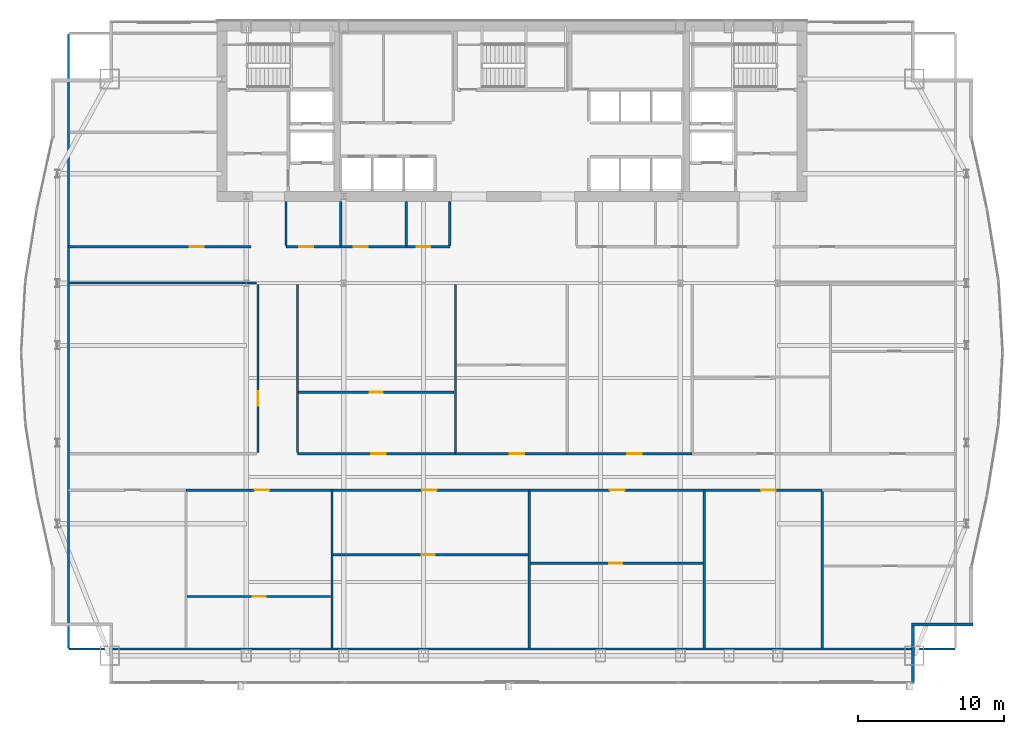
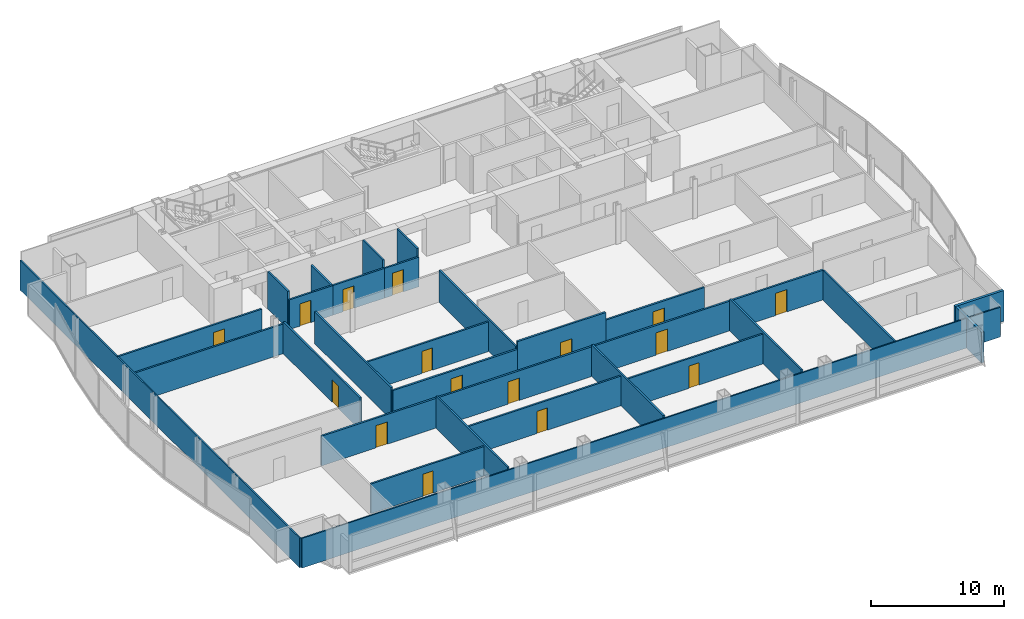
# One storey, part 24 of 29: 31 walls, 16 doors, 16 openings.
"""IFC4 building model written with IfcOpenShell, lengths in metres."""

from ifc_helpers import new_model, si_unit, direction, frame, frame_2d, origin, place, context, subcontext, project, spatial, rectangle, extrude, material, layer, layer_set, type_object, element, fill, save


model = new_model("IFC4")

# Units and contexts
model_context = context("Model", 3, precision=1e-05, world=origin(), true_north=direction((0.0, 1.0)))
body_context = subcontext(model_context, "Body", "Model", "MODEL_VIEW")
ifc_project = project(units=[si_unit("LENGTHUNIT", "METRE"), si_unit("AREAUNIT", "SQUARE_METRE"), si_unit("VOLUMEUNIT", "CUBIC_METRE"), si_unit("PLANEANGLEUNIT", "RADIAN"), si_unit("MASSUNIT", "GRAM", prefix="KILO")], contexts=[model_context])

# Site, building, storey
site_placement = place(None, origin())
site = spatial("IfcSite", under=ifc_project, at=site_placement, CompositionType="ELEMENT")
building_placement = place(site_placement, origin())
building = spatial("IfcBuilding", under=site, at=building_placement, Name="Khoronbel Lancet Exchange", CompositionType="ELEMENT")
storey_placement = place(building_placement, frame((0.0, 0.0, 161.39990234375)))
storey = spatial("IfcBuildingStorey", under=building, at=storey_placement, Name="L40", CompositionType="ELEMENT", Elevation=161.39990234375)

# Walls
ifc_material_1 = material(Name="Precast concrete C40/50", Category="concrete")
ifc_layer_1 = layer(ifc_material_1, 0.25, Name="Precast concrete C40/50")
ifc_layer_set_1 = layer_set([ifc_layer_1], Name="Precast concrete C40/50")
wall_type_1 = type_object("IfcWallType", Name="WL-EXT250", PredefinedType="SOLIDWALL", material=ifc_layer_set_1)
wall_1_placement = place(storey_placement, frame((68.070068359375, 12.2900390625, 0.0), z_axis=(0.0, 0.0, 1.0), x_axis=(-1.0, 0.0, 0.0)))
element("IfcWall", 1, at=wall_1_placement, inside=storey, type_object=wall_type_1, Name="Level L40 notched-corner limestone pier 24", PredefinedType="SOLIDWALL", context=body_context, shape_type="SweptSolid", body=[
    extrude(rectangle(XDim=4.219970703125, YDim=0.219970703125, at=frame_2d((2.10986328125, 0.0))), origin(), (0.0, 0.0, 1.0), 2.830078125),
])
wall_2_placement = place(storey_placement, frame((63.9599609375, 12.179931640625, 0.0), z_axis=(0.0, 0.0, 1.0), x_axis=(0.0, -1.0, 0.0)))
element("IfcWall", 2, at=wall_2_placement, inside=storey, type_object=wall_type_1, Name="Level L40 notched-corner limestone pier 25", PredefinedType="SOLIDWALL", context=body_context, shape_type="SweptSolid", body=[
    extrude(rectangle(XDim=3.909912109375, YDim=0.219970703125, at=frame_2d((1.955078125, 0.0))), origin(), (0.0, 0.0, 1.0), 2.830078125),
])
ifc_material_2 = material(Name="Acoustic Metal-Stud & Mineral-Wool Gypsum Partition 120 mm", Category="gypsum")
ifc_layer_2 = layer(ifc_material_2, 0.1201171875, Name="Acoustic Metal-Stud & Mineral-Wool Gypsum Partition 120 mm")
ifc_layer_set_2 = layer_set([ifc_layer_2], Name="Acoustic Metal-Stud & Mineral-Wool Gypsum Partition 120 mm")
wall_type_2 = type_object("IfcWallType", Name="WL-PRT120", PredefinedType="PARTITIONING", material=ifc_layer_set_2)
wall_3_placement = place(storey_placement, frame((20.949951171875, 38.280029296875, 0.0), z_axis=(0.0, 0.0, 1.0), x_axis=(0.0, 1.0, 0.0)))
element("IfcWall", 3, at=wall_3_placement, inside=storey, type_object=wall_type_2, Name="Level L40 interior partition PW-WC-0", PredefinedType="PARTITIONING", context=body_context, shape_type="SweptSolid", body=[
    extrude(rectangle(XDim=3.02001953125, YDim=0.14990234375, at=frame_2d((1.510009765625, 0.0))), origin(), (0.0, 0.0, 1.0), 3.440185546875),
])
wall_4_placement = place(storey_placement, frame((24.699951171875, 38.280029296875, 0.0), z_axis=(0.0, 0.0, 1.0), x_axis=(0.0, 1.0, 0.0)))
element("IfcWall", 4, at=wall_4_placement, inside=storey, type_object=wall_type_2, Name="Level L40 interior partition PW-WC-1", PredefinedType="PARTITIONING", context=body_context, shape_type="SweptSolid", body=[
    extrude(rectangle(XDim=3.02001953125, YDim=0.14990234375, at=frame_2d((1.510009765625, 0.0))), origin(), (0.0, 0.0, 1.0), 2.72998046875),
])
for number, where, z_axis, x_axis, name in (
    (5, (29.199951171875, 38.280029296875, 0.0), (0.0, 0.0, 1.0), (0.0, 1.0, 0.0), "Level L40 interior partition PW-WC-2"),
    (6, (32.179931640625, 38.280029296875, 0.0), (0.0, 0.0, 1.0), (0.0, 1.0, 0.0), "Level L40 interior partition PW-WC-3"),
):
    element("IfcWall", number, at=place(storey_placement, frame(where, z_axis=z_axis, x_axis=x_axis)), inside=storey, type_object=wall_type_2, Name=name, PredefinedType="PARTITIONING", context=body_context, shape_type="SweptSolid", body=[
        extrude(rectangle(XDim=3.02001953125, YDim=0.14990234375, at=frame_2d((1.510009765625, 0.0))), origin(), (0.0, 0.0, 1.0), 3.440185546875),
    ])

# Wall, opening, door
wall_5_placement = place(storey_placement, frame((14.1728515625, 14.208984375, 0.0), z_axis=(0.0, 0.0, 1.0), x_axis=(1.0, 0.0, 0.0)))
wall_5 = element("IfcWall", 7, at=wall_5_placement, inside=storey, type_object=wall_type_2, Name="Level L40 interior partition PW-Z2S-H2", PredefinedType="PARTITIONING", context=body_context, shape_type="SweptSolid", body=[
    extrude(rectangle(XDim=9.84033203125, YDim=0.14990234375, at=frame_2d((4.920166015625, 0.0))), origin(), (0.0, 0.0, 1.0), 2.72998046875),
])
opening_1_placement = place(wall_5_placement, frame((4.500244140625, 0.0, 0.0)))
opening_1 = element("IfcOpeningElement", 8, at=opening_1_placement, cuts=wall_5, Name="Opening D5", PredefinedType="OPENING", context=body_context, shape_type="SweptSolid", body=[
    extrude(rectangle(XDim=0.89990234375, YDim=2.050048828125, at=frame_2d((0.449951171875, 1.02490234375))), frame((0.0, 0.0849609375, 0.0), z_axis=(0.0, -1.0, 0.0), x_axis=(1.0, 0.0, 0.0)), (0.0, 0.0, 1.0), 0.169921875),
])
ifc_material_3 = material(Name="Acoustic Timber Pantry & Support Door", Category="wood")
door_type_1 = type_object("IfcDoorType", Name="DR-D5", OperationType="NOTDEFINED", PredefinedType="DOOR", material=ifc_material_3)
door_1_placement = place(opening_1_placement, origin())
door_1 = element("IfcDoor", 9, at=door_1_placement, inside=storey, type_object=door_type_1, Name="Z2S inner door 2 L40-1", OperationType="SINGLE_SWING_LEFT", OverallHeight=2.050048828125, OverallWidth=0.89990234375, PredefinedType="DOOR", context=body_context, shape_type="SweptSolid", body=[
    extrude(rectangle(XDim=0.89990234375, YDim=2.050048828125, at=frame_2d((0.449951171875, 1.02490234375))), frame((0.0, 0.02490234375, 0.0), z_axis=(0.0, -1.0, 0.0), x_axis=(1.0, 0.0, 0.0)), (0.0, 0.0, 1.0), 0.050048828125),
])
fill(opening_1, door_1)

wall_6_placement = place(storey_placement, frame((24.173095703125, 17.063232421875, 0.0), z_axis=(0.0, 0.0, 1.0), x_axis=(1.0, 0.0, 0.0)))
wall_6 = element("IfcWall", 10, at=wall_6_placement, inside=storey, type_object=wall_type_2, Name="Level L40 interior partition PW-Z2S-H3", PredefinedType="PARTITIONING", context=body_context, shape_type="SweptSolid", body=[
    extrude(rectangle(XDim=13.378173828125, YDim=0.14990234375, at=frame_2d((6.68896484375, 0.0))), origin(), (0.0, 0.0, 1.0), 2.72998046875),
])
opening_2_placement = place(wall_6_placement, frame((6.092041015625, 0.0, 0.0)))
opening_2 = element("IfcOpeningElement", 11, at=opening_2_placement, cuts=wall_6, Name="Opening D5", PredefinedType="OPENING", context=body_context, shape_type="SweptSolid", body=[
    extrude(rectangle(XDim=0.89990234375, YDim=2.050048828125, at=frame_2d((0.449951171875, 1.02490234375))), frame((0.0, 0.0849609375, 0.0), z_axis=(0.0, -1.0, 0.0), x_axis=(1.0, 0.0, 0.0)), (0.0, 0.0, 1.0), 0.169921875),
])
door_2_placement = place(opening_2_placement, origin())
door_2 = element("IfcDoor", 12, at=door_2_placement, inside=storey, type_object=door_type_1, Name="Z2S inner door 3 L40-1", OperationType="SINGLE_SWING_LEFT", OverallHeight=2.050048828125, OverallWidth=0.89990234375, PredefinedType="DOOR", context=body_context, shape_type="SweptSolid", body=[
    extrude(rectangle(XDim=0.89990234375, YDim=2.050048828125, at=frame_2d((0.449951171875, 1.02490234375))), frame((0.0, 0.02490234375, 0.0), z_axis=(0.0, -1.0, 0.0), x_axis=(1.0, 0.0, 0.0)), (0.0, 0.0, 1.0), 0.050048828125),
])
fill(opening_2, door_2)

wall_7_placement = place(storey_placement, frame((37.711181640625, 16.488037109375, 0.0), z_axis=(0.0, 0.0, 1.0), x_axis=(1.0, 0.0, 0.0)))
wall_7 = element("IfcWall", 13, at=wall_7_placement, inside=storey, type_object=wall_type_2, Name="Level L40 interior partition PW-Z2S-H4", PredefinedType="PARTITIONING", context=body_context, shape_type="SweptSolid", body=[
    extrude(rectangle(XDim=11.840576171875, YDim=0.14990234375, at=frame_2d((5.92041015625, 0.0))), origin(), (0.0, 0.0, 1.0), 2.72998046875),
])
opening_3_placement = place(wall_7_placement, frame((5.400146484375, 0.0, 0.0)))
opening_3 = element("IfcOpeningElement", 14, at=opening_3_placement, cuts=wall_7, Name="Opening D5", PredefinedType="OPENING", context=body_context, shape_type="SweptSolid", body=[
    extrude(rectangle(XDim=0.89990234375, YDim=2.050048828125, at=frame_2d((0.449951171875, 1.02490234375))), frame((0.0, 0.0849609375, 0.0), z_axis=(0.0, -1.0, 0.0), x_axis=(1.0, 0.0, 0.0)), (0.0, 0.0, 1.0), 0.169921875),
])
door_3_placement = place(opening_3_placement, origin())
door_3 = element("IfcDoor", 15, at=door_3_placement, inside=storey, type_object=door_type_1, Name="Z2S inner door 4 L40-1", OperationType="SINGLE_SWING_LEFT", OverallHeight=2.050048828125, OverallWidth=0.89990234375, PredefinedType="DOOR", context=body_context, shape_type="SweptSolid", body=[
    extrude(rectangle(XDim=0.89990234375, YDim=2.050048828125, at=frame_2d((0.449951171875, 1.02490234375))), frame((0.0, 0.02490234375, 0.0), z_axis=(0.0, -1.0, 0.0), x_axis=(1.0, 0.0, 0.0)), (0.0, 0.0, 1.0), 0.050048828125),
])
fill(opening_3, door_3)

wall_8_placement = place(storey_placement, frame((21.81005859375, 28.2119140625, 0.0), z_axis=(0.0, 0.0, 1.0), x_axis=(1.0, 0.0, 0.0)))
wall_8 = element("IfcWall", 16, at=wall_8_placement, inside=storey, type_object=wall_type_2, Name="Level L40 interior partition PW-Z2N-H1", PredefinedType="PARTITIONING", context=body_context, shape_type="SweptSolid", body=[
    extrude(rectangle(XDim=10.673583984375, YDim=0.14990234375, at=frame_2d((5.3369140625, 0.0))), origin(), (0.0, 0.0, 1.0), 2.72998046875),
])
opening_4_placement = place(wall_8_placement, frame((4.875, 0.0, 0.0)))
opening_4 = element("IfcOpeningElement", 17, at=opening_4_placement, cuts=wall_8, Name="Opening D5", PredefinedType="OPENING", context=body_context, shape_type="SweptSolid", body=[
    extrude(rectangle(XDim=0.89990234375, YDim=2.050048828125, at=frame_2d((0.449951171875, 1.02490234375))), frame((0.0, 0.0849609375, 0.0), z_axis=(0.0, -1.0, 0.0), x_axis=(1.0, 0.0, 0.0)), (0.0, 0.0, 1.0), 0.169921875),
])
door_4_placement = place(opening_4_placement, origin())
door_4 = element("IfcDoor", 18, at=door_4_placement, inside=storey, type_object=door_type_1, Name="Z2N inner door 1 L40-1", OperationType="SINGLE_SWING_LEFT", OverallHeight=2.050048828125, OverallWidth=0.89990234375, PredefinedType="DOOR", context=body_context, shape_type="SweptSolid", body=[
    extrude(rectangle(XDim=0.89990234375, YDim=2.050048828125, at=frame_2d((0.449951171875, 1.02490234375))), frame((0.0, 0.02490234375, 0.0), z_axis=(0.0, -1.0, 0.0), x_axis=(1.0, 0.0, 0.0)), (0.0, 0.0, 1.0), 0.050048828125),
])
fill(opening_4, door_4)

# Walls
wall_9_placement = place(storey_placement, frame((6.030029296875, 10.6650390625, 0.0), z_axis=(0.0, 0.0, 1.0), x_axis=(0.0, 1.0, 0.0)))
element("IfcWall", 19, at=wall_9_placement, inside=storey, type_object=wall_type_2, Name="Level L40 interior partition PW-LIN-W", PredefinedType="PARTITIONING", context=body_context, shape_type="SweptSolid", body=[
    extrude(rectangle(XDim=42.10986328125, YDim=0.1201171875, at=frame_2d((21.054931640625, 0.0))), origin(), (0.0, 0.0, 1.0), 2.72998046875),
])
wall_10_placement = place(storey_placement, frame((6.094970703125, 10.60009765625, 0.0), z_axis=(0.0, 0.0, 1.0), x_axis=(1.0, 0.0, 0.0)))
element("IfcWall", 20, at=wall_10_placement, inside=storey, type_object=wall_type_2, Name="Level L40 interior partition PW-LIN-S", PredefinedType="PARTITIONING", context=body_context, shape_type="SweptSolid", body=[
    extrude(rectangle(XDim=60.7099609375, YDim=0.1201171875, at=frame_2d((30.35498046875, 0.0))), origin(), (0.0, 0.0, 1.0), 2.72998046875),
])

# Wall, opening, door
ifc_material_4 = material(Name="Fire-Rated Twin-Stud Acoustic Gypsum Partition 150 mm", Category="gypsum")
ifc_layer_3 = layer(ifc_material_4, 0.14990234375, Name="Fire-Rated Twin-Stud Acoustic Gypsum Partition 150 mm")
ifc_layer_set_3 = layer_set([ifc_layer_3], Name="Fire-Rated Twin-Stud Acoustic Gypsum Partition 150 mm")
wall_type_3 = type_object("IfcWallType", Name="WL-PRT150C", PredefinedType="PARTITIONING", material=ifc_layer_set_3)
wall_11_placement = place(storey_placement, frame((20.949951171875, 38.199951171875, 0.0), z_axis=(0.0, 0.0, 1.0), x_axis=(1.0, 0.0, 0.0)))
wall_11 = element("IfcWall", 21, at=wall_11_placement, inside=storey, type_object=wall_type_3, Name="Level L40 interior partition PW-WC-S1", PredefinedType="PARTITIONING", context=body_context, shape_type="SweptSolid", body=[
    extrude(rectangle(XDim=3.75, YDim=0.14990234375, at=frame_2d((1.875, 0.0))), origin(), (0.0, 0.0, 1.0), 2.72998046875),
])
opening_5_placement = place(wall_11_placement, frame((0.89990234375, 0.0, 0.0)))
opening_5 = element("IfcOpeningElement", 22, at=opening_5_placement, cuts=wall_11, Name="Opening D4", PredefinedType="OPENING", context=body_context, shape_type="SweptSolid", body=[
    extrude(rectangle(XDim=0.949951171875, YDim=2.050048828125, at=frame_2d((0.47509765625, 1.02490234375))), frame((0.0, 0.0849609375, 0.0), z_axis=(0.0, -1.0, 0.0), x_axis=(1.0, 0.0, 0.0)), (0.0, 0.0, 1.0), 0.169921875),
])
ifc_material_5 = material(Name="Moisture-Resistant HPL Washroom Door", Category="wood")
door_type_2 = type_object("IfcDoorType", Name="DR-D4", OperationType="NOTDEFINED", PredefinedType="DOOR", material=ifc_material_5)
door_5_placement = place(opening_5_placement, origin())
door_5 = element("IfcDoor", 23, at=door_5_placement, inside=storey, type_object=door_type_2, Name="Male washroom door L40-1", OperationType="SINGLE_SWING_RIGHT", OverallHeight=2.050048828125, OverallWidth=0.949951171875, PredefinedType="DOOR", context=body_context, shape_type="SweptSolid", body=[
    extrude(rectangle(XDim=0.949951171875, YDim=2.050048828125, at=frame_2d((0.47509765625, 1.02490234375))), frame((0.0, 0.02490234375, 0.0), z_axis=(0.0, -1.0, 0.0), x_axis=(1.0, 0.0, 0.0)), (0.0, 0.0, 1.0), 0.050048828125),
])
fill(opening_5, door_5)

wall_12_placement = place(storey_placement, frame((24.699951171875, 38.199951171875, 0.0), z_axis=(0.0, 0.0, 1.0), x_axis=(1.0, 0.0, 0.0)))
wall_12 = element("IfcWall", 24, at=wall_12_placement, inside=storey, type_object=wall_type_3, Name="Level L40 interior partition PW-WC-S2", PredefinedType="PARTITIONING", context=body_context, shape_type="SweptSolid", body=[
    extrude(rectangle(XDim=4.5, YDim=0.14990234375, at=frame_2d((2.25, 0.0))), origin(), (0.0, 0.0, 1.0), 2.72998046875),
])
opening_6_placement = place(wall_12_placement, frame((0.89990234375, 0.0, 0.0)))
opening_6 = element("IfcOpeningElement", 25, at=opening_6_placement, cuts=wall_12, Name="Opening D4", PredefinedType="OPENING", context=body_context, shape_type="SweptSolid", body=[
    extrude(rectangle(XDim=0.949951171875, YDim=2.050048828125, at=frame_2d((0.47509765625, 1.02490234375))), frame((0.0, 0.0849609375, 0.0), z_axis=(0.0, -1.0, 0.0), x_axis=(1.0, 0.0, 0.0)), (0.0, 0.0, 1.0), 0.169921875),
])
door_6_placement = place(opening_6_placement, origin())
door_6 = element("IfcDoor", 26, at=door_6_placement, inside=storey, type_object=door_type_2, Name="Female washroom door L40-1", OperationType="SINGLE_SWING_LEFT", OverallHeight=2.050048828125, OverallWidth=0.949951171875, PredefinedType="DOOR", context=body_context, shape_type="SweptSolid", body=[
    extrude(rectangle(XDim=0.949951171875, YDim=2.050048828125, at=frame_2d((0.47509765625, 1.02490234375))), frame((0.0, 0.02490234375, 0.0), z_axis=(0.0, -1.0, 0.0), x_axis=(1.0, 0.0, 0.0)), (0.0, 0.0, 1.0), 0.050048828125),
])
fill(opening_6, door_6)

wall_13_placement = place(storey_placement, frame((29.199951171875, 38.199951171875, 0.0), z_axis=(0.0, 0.0, 1.0), x_axis=(1.0, 0.0, 0.0)))
wall_13 = element("IfcWall", 27, at=wall_13_placement, inside=storey, type_object=wall_type_3, Name="Level L40 interior partition PW-WC-S3", PredefinedType="PARTITIONING", context=body_context, shape_type="SweptSolid", body=[
    extrude(rectangle(XDim=2.97998046875, YDim=0.14990234375, at=frame_2d((1.489990234375, 0.0))), origin(), (0.0, 0.0, 1.0), 2.72998046875),
])
opening_7_placement = place(wall_13_placement, frame((0.699951171875, 0.0, 0.0)))
opening_7 = element("IfcOpeningElement", 28, at=opening_7_placement, cuts=wall_13, Name="Opening D4", PredefinedType="OPENING", context=body_context, shape_type="SweptSolid", body=[
    extrude(rectangle(XDim=0.949951171875, YDim=2.050048828125, at=frame_2d((0.47509765625, 1.02490234375))), frame((0.0, 0.0849609375, 0.0), z_axis=(0.0, -1.0, 0.0), x_axis=(1.0, 0.0, 0.0)), (0.0, 0.0, 1.0), 0.169921875),
])
door_7_placement = place(opening_7_placement, origin())
door_7 = element("IfcDoor", 29, at=door_7_placement, inside=storey, type_object=door_type_2, Name="Accessible WC door L40-1", OperationType="SINGLE_SWING_RIGHT", OverallHeight=2.050048828125, OverallWidth=0.949951171875, PredefinedType="DOOR", context=body_context, shape_type="SweptSolid", body=[
    extrude(rectangle(XDim=0.949951171875, YDim=2.050048828125, at=frame_2d((0.47509765625, 1.02490234375))), frame((0.0, 0.02490234375, 0.0), z_axis=(0.0, -1.0, 0.0), x_axis=(1.0, 0.0, 0.0)), (0.0, 0.0, 1.0), 0.050048828125),
])
fill(opening_7, door_7)

wall_14_placement = place(storey_placement, frame((6.030029296875, 38.199951171875, 0.0), z_axis=(0.0, 0.0, 1.0), x_axis=(1.0, 0.0, 0.0)))
wall_14 = element("IfcWall", 30, at=wall_14_placement, inside=storey, type_object=wall_type_3, Name="Level L40 interior partition PW-NW-S", PredefinedType="PARTITIONING", context=body_context, shape_type="SweptSolid", body=[
    extrude(rectangle(XDim=12.52001953125, YDim=0.14990234375, at=frame_2d((6.260009765625, 0.0))), origin(), (0.0, 0.0, 1.0), 2.72998046875),
])
opening_8_placement = place(wall_14_placement, frame((8.320068359375, 0.0, 0.0)))
opening_8 = element("IfcOpeningElement", 31, at=opening_8_placement, cuts=wall_14, Name="Opening D1", PredefinedType="OPENING", context=body_context, shape_type="SweptSolid", body=[
    extrude(rectangle(XDim=0.949951171875, YDim=2.050048828125, at=frame_2d((0.47509765625, 1.02490234375))), frame((0.0, 0.0849609375, 0.0), z_axis=(0.0, -1.0, 0.0), x_axis=(1.0, 0.0, 0.0)), (0.0, 0.0, 1.0), 0.169921875),
])
ifc_material_6 = material(Name="Acoustic Veneered Timber & Bronze Frame Door", Category="wood")
door_type_3 = type_object("IfcDoorType", Name="DR-D1", OperationType="NOTDEFINED", PredefinedType="DOOR", material=ifc_material_6)
door_8_placement = place(opening_8_placement, origin())
door_8 = element("IfcDoor", 32, at=door_8_placement, inside=storey, type_object=door_type_3, Name="NW corner room door L40-1", OperationType="SINGLE_SWING_LEFT", OverallHeight=2.050048828125, OverallWidth=0.949951171875, PredefinedType="DOOR", context=body_context, shape_type="SweptSolid", body=[
    extrude(rectangle(XDim=0.949951171875, YDim=2.050048828125, at=frame_2d((0.47509765625, 1.02490234375))), frame((0.0, 0.02490234375, 0.0), z_axis=(0.0, -1.0, 0.0), x_axis=(1.0, 0.0, 0.0)), (0.0, 0.0, 1.0), 0.050048828125),
])
fill(opening_8, door_8)

# Walls
for number, where, z_axis, x_axis, name in (
    (33, (24.09326171875, 10.6650390625, 0.0), (0.0, 0.0, 1.0), (0.0, 1.0, 0.0), "Level L40 interior partition PW-Z2S-V2"),
    (34, (37.63134765625, 10.6650390625, 0.0), (0.0, 0.0, 1.0), (0.0, 1.0, 0.0), "Level L40 interior partition PW-Z2S-V3"),
    (35, (49.6318359375, 10.6650390625, 0.0), (0.0, 0.0, 1.0), (0.0, 1.0, 0.0), "Level L40 interior partition PW-Z2S-V4"),
):
    element("IfcWall", number, at=place(storey_placement, frame(where, z_axis=z_axis, x_axis=x_axis)), inside=storey, type_object=wall_type_3, Name=name, PredefinedType="PARTITIONING", context=body_context, shape_type="SweptSolid", body=[
        extrude(rectangle(XDim=10.75, YDim=0.14990234375, at=frame_2d((5.375, 0.0))), origin(), (0.0, 0.0, 1.0), 2.93017578125),
    ])
wall_15_placement = place(storey_placement, frame((57.732177734375, 10.6650390625, 0.0), z_axis=(0.0, 0.0, 1.0), x_axis=(0.0, 1.0, 0.0)))
element("IfcWall", 36, at=wall_15_placement, inside=storey, type_object=wall_type_3, Name="Level L40 interior partition PW-Z2S-V5", PredefinedType="PARTITIONING", context=body_context, shape_type="SweptSolid", body=[
    extrude(rectangle(XDim=10.75, YDim=0.14990234375, at=frame_2d((5.375, 0.0))), origin(), (0.0, 0.0, 1.0), 2.72998046875),
])

# Wall, opening, door
wall_16_placement = place(storey_placement, frame((19.02001953125, 24.080078125, 0.0), z_axis=(0.0, 0.0, 1.0), x_axis=(0.0, 1.0, 0.0)))
wall_16 = element("IfcWall", 37, at=wall_16_placement, inside=storey, type_object=wall_type_3, Name="Level L40 interior partition PW-Z2-WLK", PredefinedType="PARTITIONING", context=body_context, shape_type="SweptSolid", body=[
    extrude(rectangle(XDim=11.5400390625, YDim=0.14990234375, at=frame_2d((5.77001953125, 0.0))), origin(), (0.0, 0.0, 1.0), 2.93017578125),
])
opening_9_placement = place(wall_16_placement, frame((3.199951171875, 0.0, 0.0)))
opening_9 = element("IfcOpeningElement", 38, at=opening_9_placement, cuts=wall_16, Name="Opening D2", PredefinedType="OPENING", context=body_context, shape_type="SweptSolid", body=[
    extrude(rectangle(XDim=1.0, YDim=2.050048828125, at=frame_2d((0.5, 1.02490234375))), frame((0.0, 0.0849609375, 0.0), z_axis=(0.0, -1.0, 0.0), x_axis=(1.0, 0.0, 0.0)), (0.0, 0.0, 1.0), 0.169921875),
])
door_type_4 = type_object("IfcDoorType", Name="DR-D2", OperationType="NOTDEFINED", PredefinedType="DOOR", material=ifc_material_6)
door_9_placement = place(opening_9_placement, origin())
door_9 = element("IfcDoor", 39, at=door_9_placement, inside=storey, type_object=door_type_4, Name="West mid-band room door L40-1", OperationType="SINGLE_SWING_LEFT", OverallHeight=2.050048828125, OverallWidth=1.0, PredefinedType="DOOR", context=body_context, shape_type="SweptSolid", body=[
    extrude(rectangle(XDim=1.0, YDim=2.050048828125, at=frame_2d((0.5, 1.02490234375))), frame((0.0, 0.02490234375, 0.0), z_axis=(0.0, -1.0, 0.0), x_axis=(1.0, 0.0, 0.0)), (0.0, 0.0, 1.0), 0.050048828125),
])
fill(opening_9, door_9)

# Walls
wall_17_placement = place(storey_placement, frame((6.094970703125, 35.699951171875, 0.0), z_axis=(0.0, 0.0, 1.0), x_axis=(1.0, 0.0, 0.0)))
element("IfcWall", 40, at=wall_17_placement, inside=storey, type_object=wall_type_3, Name="Level L40 interior partition PW-Z2-WN", PredefinedType="PARTITIONING", context=body_context, shape_type="SweptSolid", body=[
    extrude(rectangle(XDim=12.844970703125, YDim=0.14990234375, at=frame_2d((6.42236328125, 0.0))), origin(), (0.0, 0.0, 1.0), 2.72998046875),
])
for number, where, z_axis, x_axis, name in (
    (41, (21.72998046875, 24.0849609375, 0.0), (0.0, 0.0, 1.0), (0.0, 1.0, 0.0), "Level L40 interior partition PW-Z2-ELK"),
    (42, (32.563720703125, 24.0849609375, 0.0), (0.0, 0.0, 1.0), (0.0, 1.0, 0.0), "Level L40 interior partition PW-Z2N-V1"),
):
    element("IfcWall", number, at=place(storey_placement, frame(where, z_axis=z_axis, x_axis=x_axis)), inside=storey, type_object=wall_type_3, Name=name, PredefinedType="PARTITIONING", context=body_context, shape_type="SweptSolid", body=[
        extrude(rectangle(XDim=11.53515625, YDim=0.14990234375, at=frame_2d((5.767578125, 0.0))), origin(), (0.0, 0.0, 1.0), 2.93017578125),
    ])

# Wall, opening, door
ifc_material_7 = material(Name="Fire-Rated Twin-Stud Acoustic Gypsum Partition 160 mm", Category="gypsum")
ifc_layer_4 = layer(ifc_material_7, 0.159912109375, Name="Fire-Rated Twin-Stud Acoustic Gypsum Partition 160 mm")
ifc_layer_set_4 = layer_set([ifc_layer_4], Name="Fire-Rated Twin-Stud Acoustic Gypsum Partition 160 mm")
wall_type_4 = type_object("IfcWallType", Name="WL-PRT160C", PredefinedType="PARTITIONING", material=ifc_layer_set_4)
wall_18_placement = place(storey_placement, frame((14.0927734375, 21.5, 0.0), z_axis=(0.0, 0.0, 1.0), x_axis=(1.0, 0.0, 0.0)))
wall_18 = element("IfcWall", 43, at=wall_18_placement, inside=storey, type_object=wall_type_4, Name="Level L40 interior partition PW-Z2S-COR2", PredefinedType="PARTITIONING", context=body_context, shape_type="SweptSolid", body=[
    extrude(rectangle(XDim=10.00048828125, YDim=0.159912109375, at=frame_2d((5.000244140625, 0.0))), origin(), (0.0, 0.0, 1.0), 2.72998046875),
])
opening_10_placement = place(wall_18_placement, frame((4.7001953125, 0.0, 0.0)))
opening_10 = element("IfcOpeningElement", 44, at=opening_10_placement, cuts=wall_18, Name="Opening D2", PredefinedType="OPENING", context=body_context, shape_type="SweptSolid", body=[
    extrude(rectangle(XDim=1.0, YDim=2.050048828125, at=frame_2d((0.5, 1.02490234375))), frame((0.0, 0.08984375, 0.0), z_axis=(0.0, -1.0, 0.0), x_axis=(1.0, 0.0, 0.0)), (0.0, 0.0, 1.0), 0.179931640625),
])
door_10_placement = place(opening_10_placement, origin())
door_10 = element("IfcDoor", 45, at=door_10_placement, inside=storey, type_object=door_type_4, Name="Z2S bay 2 door L40-1", OperationType="SINGLE_SWING_RIGHT", OverallHeight=2.050048828125, OverallWidth=1.0, PredefinedType="DOOR", context=body_context, shape_type="SweptSolid", body=[
    extrude(rectangle(XDim=1.0, YDim=2.050048828125, at=frame_2d((0.5, 1.02490234375))), frame((0.0, 0.02490234375, 0.0), z_axis=(0.0, -1.0, 0.0), x_axis=(1.0, 0.0, 0.0)), (0.0, 0.0, 1.0), 0.050048828125),
])
fill(opening_10, door_10)

wall_19_placement = place(storey_placement, frame((24.09326171875, 21.5, 0.0), z_axis=(0.0, 0.0, 1.0), x_axis=(1.0, 0.0, 0.0)))
wall_19 = element("IfcWall", 46, at=wall_19_placement, inside=storey, type_object=wall_type_4, Name="Level L40 interior partition PW-Z2S-COR3", PredefinedType="PARTITIONING", context=body_context, shape_type="SweptSolid", body=[
    extrude(rectangle(XDim=13.5380859375, YDim=0.159912109375, at=frame_2d((6.76904296875, 0.0))), origin(), (0.0, 0.0, 1.0), 2.72998046875),
])
opening_11_placement = place(wall_19_placement, frame((6.18603515625, 0.0, 0.0)))
opening_11 = element("IfcOpeningElement", 47, at=opening_11_placement, cuts=wall_19, Name="Opening D2", PredefinedType="OPENING", context=body_context, shape_type="SweptSolid", body=[
    extrude(rectangle(XDim=1.0, YDim=2.050048828125, at=frame_2d((0.5, 1.02490234375))), frame((0.0, 0.08984375, 0.0), z_axis=(0.0, -1.0, 0.0), x_axis=(1.0, 0.0, 0.0)), (0.0, 0.0, 1.0), 0.179931640625),
])
door_11_placement = place(opening_11_placement, origin())
door_11 = element("IfcDoor", 48, at=door_11_placement, inside=storey, type_object=door_type_4, Name="Z2S bay 3 door L40-1", OperationType="SINGLE_SWING_RIGHT", OverallHeight=2.050048828125, OverallWidth=1.0, PredefinedType="DOOR", context=body_context, shape_type="SweptSolid", body=[
    extrude(rectangle(XDim=1.0, YDim=2.050048828125, at=frame_2d((0.5, 1.02490234375))), frame((0.0, 0.02490234375, 0.0), z_axis=(0.0, -1.0, 0.0), x_axis=(1.0, 0.0, 0.0)), (0.0, 0.0, 1.0), 0.050048828125),
])
fill(opening_11, door_11)

wall_20_placement = place(storey_placement, frame((37.63134765625, 21.5, 0.0), z_axis=(0.0, 0.0, 1.0), x_axis=(1.0, 0.0, 0.0)))
wall_20 = element("IfcWall", 49, at=wall_20_placement, inside=storey, type_object=wall_type_4, Name="Level L40 interior partition PW-Z2S-COR4", PredefinedType="PARTITIONING", context=body_context, shape_type="SweptSolid", body=[
    extrude(rectangle(XDim=12.00048828125, YDim=0.159912109375, at=frame_2d((6.000244140625, 0.0))), origin(), (0.0, 0.0, 1.0), 2.72998046875),
])
opening_12_placement = place(wall_20_placement, frame((5.540283203125, 0.0, 0.0)))
opening_12 = element("IfcOpeningElement", 50, at=opening_12_placement, cuts=wall_20, Name="Opening D2", PredefinedType="OPENING", context=body_context, shape_type="SweptSolid", body=[
    extrude(rectangle(XDim=1.0, YDim=2.050048828125, at=frame_2d((0.5, 1.02490234375))), frame((0.0, 0.08984375, 0.0), z_axis=(0.0, -1.0, 0.0), x_axis=(1.0, 0.0, 0.0)), (0.0, 0.0, 1.0), 0.179931640625),
])
door_12_placement = place(opening_12_placement, origin())
door_12 = element("IfcDoor", 51, at=door_12_placement, inside=storey, type_object=door_type_4, Name="Z2S bay 4 door L40-1", OperationType="SINGLE_SWING_RIGHT", OverallHeight=2.050048828125, OverallWidth=1.0, PredefinedType="DOOR", context=body_context, shape_type="SweptSolid", body=[
    extrude(rectangle(XDim=1.0, YDim=2.050048828125, at=frame_2d((0.5, 1.02490234375))), frame((0.0, 0.02490234375, 0.0), z_axis=(0.0, -1.0, 0.0), x_axis=(1.0, 0.0, 0.0)), (0.0, 0.0, 1.0), 0.050048828125),
])
fill(opening_12, door_12)

wall_21_placement = place(storey_placement, frame((49.6318359375, 21.5, 0.0), z_axis=(0.0, 0.0, 1.0), x_axis=(1.0, 0.0, 0.0)))
wall_21 = element("IfcWall", 52, at=wall_21_placement, inside=storey, type_object=wall_type_4, Name="Level L40 interior partition PW-Z2S-COR5", PredefinedType="PARTITIONING", context=body_context, shape_type="SweptSolid", body=[
    extrude(rectangle(XDim=8.100341796875, YDim=0.159912109375, at=frame_2d((4.05029296875, 0.0))), origin(), (0.0, 0.0, 1.0), 2.72998046875),
])
opening_13_placement = place(wall_21_placement, frame((3.902099609375, 0.0, 0.0)))
opening_13 = element("IfcOpeningElement", 53, at=opening_13_placement, cuts=wall_21, Name="Opening D2", PredefinedType="OPENING", context=body_context, shape_type="SweptSolid", body=[
    extrude(rectangle(XDim=1.0, YDim=2.050048828125, at=frame_2d((0.5, 1.02490234375))), frame((0.0, 0.08984375, 0.0), z_axis=(0.0, -1.0, 0.0), x_axis=(1.0, 0.0, 0.0)), (0.0, 0.0, 1.0), 0.179931640625),
])
door_13_placement = place(opening_13_placement, origin())
door_13 = element("IfcDoor", 54, at=door_13_placement, inside=storey, type_object=door_type_4, Name="Z2S bay 5 door L40-1", OperationType="SINGLE_SWING_RIGHT", OverallHeight=2.050048828125, OverallWidth=1.0, PredefinedType="DOOR", context=body_context, shape_type="SweptSolid", body=[
    extrude(rectangle(XDim=1.0, YDim=2.050048828125, at=frame_2d((0.5, 1.02490234375))), frame((0.0, 0.02490234375, 0.0), z_axis=(0.0, -1.0, 0.0), x_axis=(1.0, 0.0, 0.0)), (0.0, 0.0, 1.0), 0.050048828125),
])
fill(opening_13, door_13)

wall_22_placement = place(storey_placement, frame((21.72998046875, 24.0, 0.0), z_axis=(0.0, 0.0, 1.0), x_axis=(1.0, 0.0, 0.0)))
wall_22 = element("IfcWall", 55, at=wall_22_placement, inside=storey, type_object=wall_type_4, Name="Level L40 interior partition PW-Z2N-COR1", PredefinedType="PARTITIONING", context=body_context, shape_type="SweptSolid", body=[
    extrude(rectangle(XDim=10.833740234375, YDim=0.159912109375, at=frame_2d((5.4169921875, 0.0))), origin(), (0.0, 0.0, 1.0), 2.72998046875),
])
opening_14_placement = place(wall_22_placement, frame((5.050048828125, 0.0, 0.0)))
opening_14 = element("IfcOpeningElement", 56, at=opening_14_placement, cuts=wall_22, Name="Opening D2", PredefinedType="OPENING", context=body_context, shape_type="SweptSolid", body=[
    extrude(rectangle(XDim=1.0, YDim=2.050048828125, at=frame_2d((0.5, 1.02490234375))), frame((0.0, 0.08984375, 0.0), z_axis=(0.0, -1.0, 0.0), x_axis=(1.0, 0.0, 0.0)), (0.0, 0.0, 1.0), 0.179931640625),
])
door_14_placement = place(opening_14_placement, origin())
door_14 = element("IfcDoor", 57, at=door_14_placement, inside=storey, type_object=door_type_4, Name="Z2N bay 1 door L40-1", OperationType="SINGLE_SWING_RIGHT", OverallHeight=2.050048828125, OverallWidth=1.0, PredefinedType="DOOR", context=body_context, shape_type="SweptSolid", body=[
    extrude(rectangle(XDim=1.0, YDim=2.050048828125, at=frame_2d((0.5, 1.02490234375))), frame((0.0, 0.02490234375, 0.0), z_axis=(0.0, -1.0, 0.0), x_axis=(1.0, 0.0, 0.0)), (0.0, 0.0, 1.0), 0.050048828125),
])
fill(opening_14, door_14)

wall_23_placement = place(storey_placement, frame((32.563720703125, 24.0, 0.0), z_axis=(0.0, 0.0, 1.0), x_axis=(1.0, 0.0, 0.0)))
wall_23 = element("IfcWall", 58, at=wall_23_placement, inside=storey, type_object=wall_type_4, Name="Level L40 interior partition PW-Z2N-COR2", PredefinedType="PARTITIONING", context=body_context, shape_type="SweptSolid", body=[
    extrude(rectangle(XDim=7.673583984375, YDim=0.159912109375, at=frame_2d((3.8369140625, 0.0))), origin(), (0.0, 0.0, 1.0), 3.440185546875),
])
opening_15_placement = place(wall_23_placement, frame((3.722900390625, 0.0, 0.0)))
opening_15 = element("IfcOpeningElement", 59, at=opening_15_placement, cuts=wall_23, Name="Opening D2", PredefinedType="OPENING", context=body_context, shape_type="SweptSolid", body=[
    extrude(rectangle(XDim=1.0, YDim=2.050048828125, at=frame_2d((0.5, 1.02490234375))), frame((0.0, 0.08984375, 0.0), z_axis=(0.0, -1.0, 0.0), x_axis=(1.0, 0.0, 0.0)), (0.0, 0.0, 1.0), 0.179931640625),
])
door_15_placement = place(opening_15_placement, origin())
door_15 = element("IfcDoor", 60, at=door_15_placement, inside=storey, type_object=door_type_4, Name="Z2N bay 2 door L40-1", OperationType="SINGLE_SWING_RIGHT", OverallHeight=2.050048828125, OverallWidth=1.0, PredefinedType="DOOR", context=body_context, shape_type="SweptSolid", body=[
    extrude(rectangle(XDim=1.0, YDim=2.050048828125, at=frame_2d((0.5, 1.02490234375))), frame((0.0, 0.02490234375, 0.0), z_axis=(0.0, -1.0, 0.0), x_axis=(1.0, 0.0, 0.0)), (0.0, 0.0, 1.0), 0.050048828125),
])
fill(opening_15, door_15)

wall_24_placement = place(storey_placement, frame((40.2373046875, 24.0, 0.0), z_axis=(0.0, 0.0, 1.0), x_axis=(1.0, 0.0, 0.0)))
wall_24 = element("IfcWall", 61, at=wall_24_placement, inside=storey, type_object=wall_type_4, Name="Level L40 interior partition PW-Z2N-COR3", PredefinedType="PARTITIONING", context=body_context, shape_type="SweptSolid", body=[
    extrude(rectangle(XDim=8.57666015625, YDim=0.159912109375, at=frame_2d((4.288330078125, 0.0))), origin(), (0.0, 0.0, 1.0), 2.72998046875),
])
opening_16_placement = place(wall_24_placement, frame((4.102294921875, 0.0, 0.0)))
opening_16 = element("IfcOpeningElement", 62, at=opening_16_placement, cuts=wall_24, Name="Opening D2", PredefinedType="OPENING", context=body_context, shape_type="SweptSolid", body=[
    extrude(rectangle(XDim=1.0, YDim=2.050048828125, at=frame_2d((0.5, 1.02490234375))), frame((0.0, 0.08984375, 0.0), z_axis=(0.0, -1.0, 0.0), x_axis=(1.0, 0.0, 0.0)), (0.0, 0.0, 1.0), 0.179931640625),
])
door_16_placement = place(opening_16_placement, origin())
door_16 = element("IfcDoor", 63, at=door_16_placement, inside=storey, type_object=door_type_4, Name="Z2N bay 3 door L40-1", OperationType="SINGLE_SWING_RIGHT", OverallHeight=2.050048828125, OverallWidth=1.0, PredefinedType="DOOR", context=body_context, shape_type="SweptSolid", body=[
    extrude(rectangle(XDim=1.0, YDim=2.050048828125, at=frame_2d((0.5, 1.02490234375))), frame((0.0, 0.02490234375, 0.0), z_axis=(0.0, -1.0, 0.0), x_axis=(1.0, 0.0, 0.0)), (0.0, 0.0, 1.0), 0.050048828125),
])
fill(opening_16, door_16)

save(model, "model.ifc")
